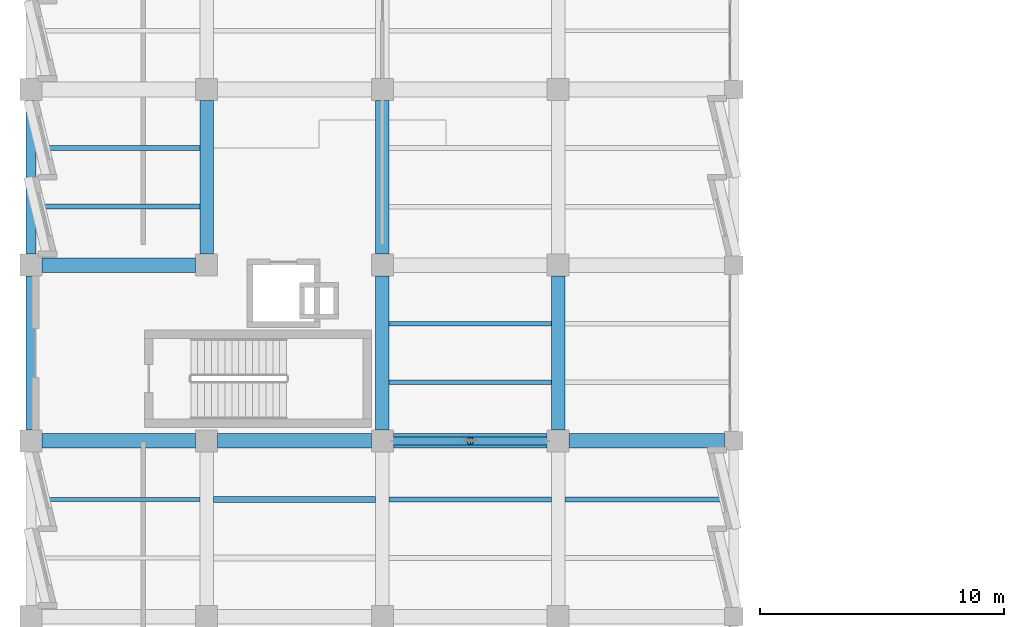
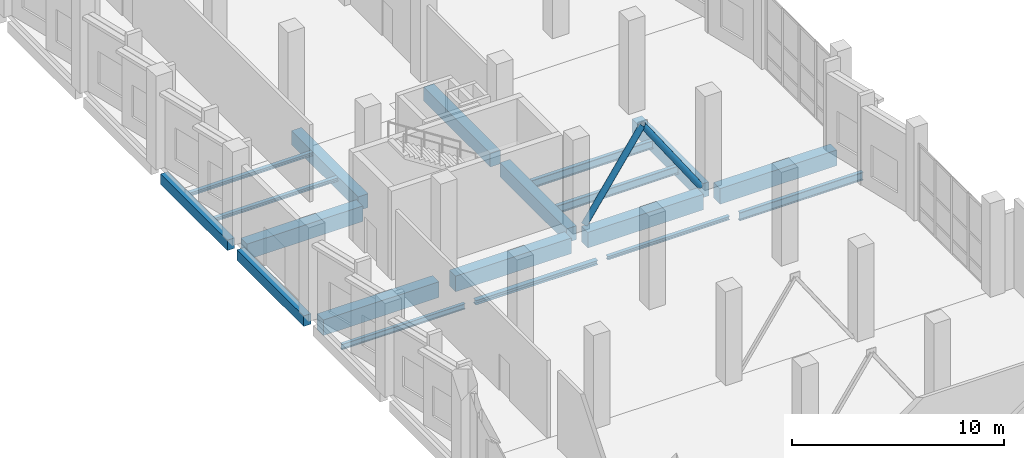
# One storey, part 17 of 137: 19 beams, 2 members.
"""IFC4 building model written with IfcOpenShell, lengths in metres."""

from ifc_helpers import new_model, si_unit, direction, frame, origin, origin_2d, place, context, subcontext, project, spatial, rectangle, hollow_circle, i_section, extrude, material, material_profile, profile_set, type_object, element, save


model = new_model("IFC4")

# Units and contexts
model_context = context("Model", 3, precision=1e-05, world=origin(), true_north=direction((0.0, 1.0)))
body_context = subcontext(model_context, "Body", "Model", "MODEL_VIEW")
ifc_project = project(units=[si_unit("LENGTHUNIT", "METRE"), si_unit("AREAUNIT", "SQUARE_METRE"), si_unit("VOLUMEUNIT", "CUBIC_METRE"), si_unit("PLANEANGLEUNIT", "RADIAN"), si_unit("MASSUNIT", "GRAM", prefix="KILO")], contexts=[model_context])

# Site, building, storey
site_placement = place(None, origin())
site = spatial("IfcSite", under=ifc_project, at=site_placement, CompositionType="ELEMENT")
building_placement = place(site_placement, origin())
building = spatial("IfcBuilding", under=site, at=building_placement, Name="Kalmorath City Hall", CompositionType="ELEMENT")
storey_placement = place(building_placement, origin())
storey = spatial("IfcBuildingStorey", under=building, at=storey_placement, Name="L00", CompositionType="ELEMENT", Elevation=0.0)

# Beams
ifc_material_1 = material(Name="Concrete C40/50", Category="concrete")
ifc_material_profile_1 = material_profile(ifc_material_1, rectangle(XDim=0.39990234375, YDim=0.60009765625, at=origin_2d()), Name="RC-BM-400X600")
ifc_profile_set_1 = profile_set([ifc_material_profile_1], Name="Concrete C40/50")
beam_type_1 = type_object("IfcBeamType", Name="Concrete edge beam 400x600", PredefinedType="SPANDREL", material=ifc_profile_set_1)
beam_1_placement = place(storey_placement, frame((0.0, 50.85009765625, -0.60400390625), z_axis=(0.0, 1.0, 0.0), x_axis=(-1.0, 0.0, 0.0)))
element("IfcBeam", 1, at=beam_1_placement, inside=storey, type_object=beam_type_1, Name="L00 girder CB6 Y1/8-9", PredefinedType="SPANDREL", context=body_context, shape_type="SweptSolid", body=[
    extrude(rectangle(XDim=0.39990234375, YDim=0.60009765625, at=origin_2d()), origin(), (0.0, 0.0, 1.0), 6.2998046875),
])
beam_2_placement = place(storey_placement, frame((0.0, 58.050048828125, -0.60400390625), z_axis=(0.0, 1.0, 0.0), x_axis=(-1.0, 0.0, 0.0)))
element("IfcBeam", 2, at=beam_2_placement, inside=storey, type_object=beam_type_1, Name="L00 girder CB6 Y1/9-10", PredefinedType="SPANDREL", context=body_context, shape_type="SweptSolid", body=[
    extrude(rectangle(XDim=0.39990234375, YDim=0.60009765625, at=origin_2d()), origin(), (0.0, 0.0, 1.0), 6.300048828125),
])
ifc_material_2 = material(Name="Concrete C40/50", Category="concrete")
ifc_material_profile_2 = material_profile(ifc_material_2, rectangle(XDim=0.550048828125, YDim=0.800048828125, at=origin_2d()), Name="RC-BM-550X800")
ifc_profile_set_2 = profile_set([ifc_material_profile_2], Name="Concrete C40/50")
beam_type_2 = type_object("IfcBeamType", Name="Concrete floor girder 550x800", PredefinedType="BEAM", material=ifc_profile_set_2)
beam_3_placement = place(storey_placement, frame((7.199951171875, 58.050048828125, -0.7041015625), z_axis=(0.0, 1.0, 0.0), x_axis=(-1.0, 0.0, 0.0)))
element("IfcBeam", 3, at=beam_3_placement, inside=storey, type_object=beam_type_2, Name="L00 girder CB2 Y2/9-10", PredefinedType="BEAM", context=body_context, shape_type="SweptSolid", body=[
    extrude(rectangle(XDim=0.550048828125, YDim=0.800048828125, at=origin_2d()), origin(), (0.0, 0.0, 1.0), 6.300048828125),
])
beam_4_placement = place(storey_placement, frame((14.39990234375, 50.85009765625, -0.7041015625), z_axis=(0.0, 1.0, 0.0), x_axis=(-1.0, 0.0, 0.0)))
element("IfcBeam", 4, at=beam_4_placement, inside=storey, type_object=beam_type_2, Name="L00 girder CB2 Y3/8-9", PredefinedType="BEAM", context=body_context, shape_type="SweptSolid", body=[
    extrude(rectangle(XDim=0.550048828125, YDim=0.800048828125, at=origin_2d()), origin(), (0.0, 0.0, 1.0), 6.2998046875),
])
beam_5_placement = place(storey_placement, frame((14.39990234375, 58.050048828125, -0.7041015625), z_axis=(0.0, 1.0, 0.0), x_axis=(-1.0, 0.0, 0.0)))
element("IfcBeam", 5, at=beam_5_placement, inside=storey, type_object=beam_type_2, Name="L00 girder CB2 Y3/9-10", PredefinedType="BEAM", context=body_context, shape_type="SweptSolid", body=[
    extrude(rectangle(XDim=0.550048828125, YDim=0.800048828125, at=origin_2d()), origin(), (0.0, 0.0, 1.0), 6.300048828125),
])
beam_6_placement = place(storey_placement, frame((21.60009765625, 50.85009765625, -0.7041015625), z_axis=(0.0, 1.0, 0.0), x_axis=(-1.0, 0.0, 0.0)))
element("IfcBeam", 6, at=beam_6_placement, inside=storey, type_object=beam_type_2, Name="L00 girder CB2 Y4/8-9", PredefinedType="BEAM", context=body_context, shape_type="SweptSolid", body=[
    extrude(rectangle(XDim=0.550048828125, YDim=0.800048828125, at=origin_2d()), origin(), (0.0, 0.0, 1.0), 6.2998046875),
])
ifc_material_3 = material(Name="Concrete C40/50", Category="concrete")
ifc_material_profile_3 = material_profile(ifc_material_3, rectangle(XDim=0.60009765625, YDim=0.89990234375, at=origin_2d()), Name="RC-BM-600X900")
ifc_profile_set_3 = profile_set([ifc_material_profile_3], Name="Concrete C40/50")
beam_type_3 = type_object("IfcBeamType", Name="Concrete floor girder 600x900", PredefinedType="BEAM", material=ifc_profile_set_3)
for number, where, z_axis, x_axis, name in (
    (7, (0.449951171875, 50.39990234375, -0.75390625), (1.0, 0.0, 0.0), (0.0, 1.0, 0.0), "L00 girder CB1 X1-2/8"),
    (8, (7.64990234375, 50.39990234375, -0.75390625), (1.0, 0.0, 0.0), (0.0, 1.0, 0.0), "L00 girder CB1 X2-3/8"),
):
    element("IfcBeam", number, at=place(storey_placement, frame(where, z_axis=z_axis, x_axis=x_axis)), inside=storey, type_object=beam_type_3, Name=name, PredefinedType="BEAM", context=body_context, shape_type="SweptSolid", body=[
        extrude(rectangle(XDim=0.60009765625, YDim=0.89990234375, at=origin_2d()), origin(), (0.0, 0.0, 1.0), 6.300048828125),
    ])
beam_7_placement = place(storey_placement, frame((14.85009765625, 50.39990234375, -0.75390625), z_axis=(1.0, 0.0, 0.0), x_axis=(0.0, 1.0, 0.0)))
element("IfcBeam", 9, at=beam_7_placement, inside=storey, type_object=beam_type_3, Name="L00 girder CB1 X3-4/8", PredefinedType="BEAM", context=body_context, shape_type="SweptSolid", body=[
    extrude(rectangle(XDim=0.60009765625, YDim=0.89990234375, at=origin_2d()), origin(), (0.0, 0.0, 1.0), 6.2998046875),
])
beam_8_placement = place(storey_placement, frame((22.050048828125, 50.39990234375, -0.75390625), z_axis=(1.0, 0.0, 0.0), x_axis=(0.0, 1.0, 0.0)))
element("IfcBeam", 10, at=beam_8_placement, inside=storey, type_object=beam_type_3, Name="L00 girder CB1 X4-5/8", PredefinedType="BEAM", context=body_context, shape_type="SweptSolid", body=[
    extrude(rectangle(XDim=0.60009765625, YDim=0.89990234375, at=origin_2d()), origin(), (0.0, 0.0, 1.0), 6.375),
])
beam_9_placement = place(storey_placement, frame((0.449951171875, 57.60009765625, -0.75390625), z_axis=(1.0, 0.0, 0.0), x_axis=(0.0, 1.0, 0.0)))
element("IfcBeam", 11, at=beam_9_placement, inside=storey, type_object=beam_type_3, Name="L00 girder CB1 X1-2/9", PredefinedType="BEAM", context=body_context, shape_type="SweptSolid", body=[
    extrude(rectangle(XDim=0.60009765625, YDim=0.89990234375, at=origin_2d()), origin(), (0.0, 0.0, 1.0), 6.300048828125),
])
ifc_material_4 = material(Name="Steel ASTM A992 Grade 50", Category="steel")
ifc_material_profile_4 = material_profile(ifc_material_4, i_section(OverallWidth=0.193115234375, OverallDepth=0.466064453125, WebThickness=0.011474609375, FlangeThickness=0.01904296875, FilletRadius=0.013916015625, at=origin_2d()), Name="W18X65")
ifc_profile_set_4 = profile_set([ifc_material_profile_4], Name="Steel ASTM A992 Grade 50")
beam_type_4 = type_object("IfcBeamType", Name="Steel composite joist W18X65", PredefinedType="JOIST", material=ifc_profile_set_4)
for number, where, z_axis, x_axis, name in (
    (12, (14.675048828125, 52.800048828125, -0.537109375), (1.0, 0.0, 0.0), (0.0, 1.0, 0.0), "L00 joist SJ1 3.8.1"),
    (13, (14.675048828125, 55.199951171875, -0.537109375), (1.0, 0.0, 0.0), (0.0, 1.0, 0.0), "L00 joist SJ1 3.8.2"),
):
    element("IfcBeam", number, at=place(storey_placement, frame(where, z_axis=z_axis, x_axis=x_axis)), inside=storey, type_object=beam_type_4, Name=name, PredefinedType="JOIST", context=body_context, shape_type="SweptSolid", body=[
        extrude(i_section(OverallWidth=0.193115234375, OverallDepth=0.466064453125, WebThickness=0.011474609375, FlangeThickness=0.01904296875, FilletRadius=0.013916015625, at=origin_2d()), origin(), (0.0, 0.0, 1.0), 6.64990234375),
    ])
beam_10_placement = place(storey_placement, frame((21.875, 48.0, -0.537109375), z_axis=(1.0, 0.0, 0.0), x_axis=(0.0, 1.0, 0.0)))
element("IfcBeam", 14, at=beam_10_placement, inside=storey, type_object=beam_type_4, Name="L00 joist SJ1 4.7.2", PredefinedType="JOIST", context=body_context, shape_type="SweptSolid", body=[
    extrude(i_section(OverallWidth=0.193115234375, OverallDepth=0.466064453125, WebThickness=0.011474609375, FlangeThickness=0.01904296875, FilletRadius=0.013916015625, at=origin_2d()), origin(), (0.0, 0.0, 1.0), 6.72509765625),
])
ifc_material_5 = material(Name="Steel ASTM A992 Grade 50", Category="steel")
ifc_material_profile_5 = material_profile(ifc_material_5, i_section(OverallWidth=0.202880859375, OverallDepth=0.202880859375, WebThickness=0.007080078125, FlangeThickness=0.010986328125, FilletRadius=0.010986328125, at=origin_2d()), Name="W8X31")
ifc_profile_set_5 = profile_set([ifc_material_profile_5], Name="Steel ASTM A992 Grade 50")
beam_type_5 = type_object("IfcBeamType", Name="Steel edge trimmer W8X31", PredefinedType="LINTEL", material=ifc_profile_set_5)
for number, where, z_axis, x_axis, name in (
    (15, (0.199951171875, 60.0, -0.405517578125), (1.0, 0.0, 0.0), (0.0, 1.0, 0.0), "L00 joist SJ16 1.9.1"),
    (16, (0.199951171875, 62.39990234375, -0.405517578125), (1.0, 0.0, 0.0), (0.0, 1.0, 0.0), "L00 joist SJ16 1.9.2"),
):
    element("IfcBeam", number, at=place(storey_placement, frame(where, z_axis=z_axis, x_axis=x_axis)), inside=storey, type_object=beam_type_5, Name=name, PredefinedType="LINTEL", context=body_context, shape_type="SweptSolid", body=[
        extrude(i_section(OverallWidth=0.202880859375, OverallDepth=0.202880859375, WebThickness=0.007080078125, FlangeThickness=0.010986328125, FilletRadius=0.010986328125, at=origin_2d()), origin(), (0.0, 0.0, 1.0), 6.72509765625),
    ])
beam_11_placement = place(storey_placement, frame((14.675048828125, 48.0, -0.405517578125), z_axis=(1.0, 0.0, 0.0), x_axis=(0.0, 1.0, 0.0)))
element("IfcBeam", 17, at=beam_11_placement, inside=storey, type_object=beam_type_5, Name="L00 joist SJ16 3.7.2", PredefinedType="LINTEL", context=body_context, shape_type="SweptSolid", body=[
    extrude(i_section(OverallWidth=0.202880859375, OverallDepth=0.202880859375, WebThickness=0.007080078125, FlangeThickness=0.010986328125, FilletRadius=0.010986328125, at=origin_2d()), origin(), (0.0, 0.0, 1.0), 6.64990234375),
])
ifc_material_6 = material(Name="Steel ASTM A992 Grade 50", Category="steel")
ifc_material_profile_6 = material_profile(ifc_material_6, i_section(OverallWidth=0.1669921875, OverallDepth=0.318115234375, WebThickness=0.007568359375, FlangeThickness=0.01318359375, FilletRadius=0.012939453125, at=origin_2d()), Name="W12X35")
ifc_profile_set_6 = profile_set([ifc_material_profile_6], Name="Steel ASTM A992 Grade 50")
beam_type_6 = type_object("IfcBeamType", Name="Steel header lintel W12X35", PredefinedType="LINTEL", material=ifc_profile_set_6)
beam_12_placement = place(storey_placement, frame((0.199951171875, 48.0, -0.462890625), z_axis=(1.0, 0.0, 0.0), x_axis=(0.0, 1.0, 0.0)))
element("IfcBeam", 18, at=beam_12_placement, inside=storey, type_object=beam_type_6, Name="L00 joist SJ13 1.7.2", PredefinedType="LINTEL", context=body_context, shape_type="SweptSolid", body=[
    extrude(i_section(OverallWidth=0.1669921875, OverallDepth=0.318115234375, WebThickness=0.007568359375, FlangeThickness=0.01318359375, FilletRadius=0.012939453125, at=origin_2d()), origin(), (0.0, 0.0, 1.0), 6.72509765625),
])
ifc_material_7 = material(Name="Steel ASTM A992 Grade 50", Category="steel")
ifc_material_profile_7 = material_profile(ifc_material_7, i_section(OverallWidth=0.25390625, OverallDepth=0.2529296875, WebThickness=0.008544921875, FlangeThickness=0.01416015625, FilletRadius=0.011962890625, at=origin_2d()), Name="W10X49")
ifc_profile_set_7 = profile_set([ifc_material_profile_7], Name="Steel ASTM A992 Grade 50")
beam_type_7 = type_object("IfcBeamType", Name="Steel trimmer beam W10X49", PredefinedType="BEAM", material=ifc_profile_set_7)
beam_13_placement = place(storey_placement, frame((7.47509765625, 48.0, -0.430419921875), z_axis=(1.0, 0.0, 0.0), x_axis=(0.0, 1.0, 0.0)))
element("IfcBeam", 19, at=beam_13_placement, inside=storey, type_object=beam_type_7, Name="L00 joist SJ14 2.7.2", PredefinedType="BEAM", context=body_context, shape_type="SweptSolid", body=[
    extrude(i_section(OverallWidth=0.25390625, OverallDepth=0.2529296875, WebThickness=0.008544921875, FlangeThickness=0.01416015625, FilletRadius=0.011962890625, at=origin_2d()), origin(), (0.0, 0.0, 1.0), 6.64990234375),
])

# Members
ifc_material_8 = material(Name="Steel ASTM A500 Grade C", Category="steel")
ifc_material_profile_8 = material_profile(ifc_material_8, hollow_circle(Radius=0.162109375, WallThickness=0.01171875, at=origin_2d()), Name="HSS324X12.7")
ifc_profile_set_8 = profile_set([ifc_material_profile_8], Name="Steel ASTM A500 Grade C")
member_type = type_object("IfcMemberType", Name="Steel tubular strut HSS324X12.7", PredefinedType="BRACE", material=ifc_profile_set_8)
for number, where, z_axis, x_axis, name in (
    (20, (14.85009765625, 50.39990234375, 0.0), (0.563315147865, 0.0, 0.826242122012), (0.0, 1.0, 0.0), "L00 chevron brace BR5 3A"),
    (21, (21.14990234375, 50.39990234375, 0.0), (-0.563315147865, 0.0, 0.826242122012), (0.0, -1.0, 0.0), "L00 chevron brace BR5 3B"),
):
    element("IfcMember", number, at=place(storey_placement, frame(where, z_axis=z_axis, x_axis=x_axis)), inside=storey, type_object=member_type, Name=name, PredefinedType="BRACE", context=body_context, shape_type="SweptSolid", body=[
        extrude(hollow_circle(Radius=0.162109375, WallThickness=0.01171875, at=origin_2d()), origin(), (0.0, 0.0, 1.0), 5.591796875),
    ])

save(model, "model.ifc")
